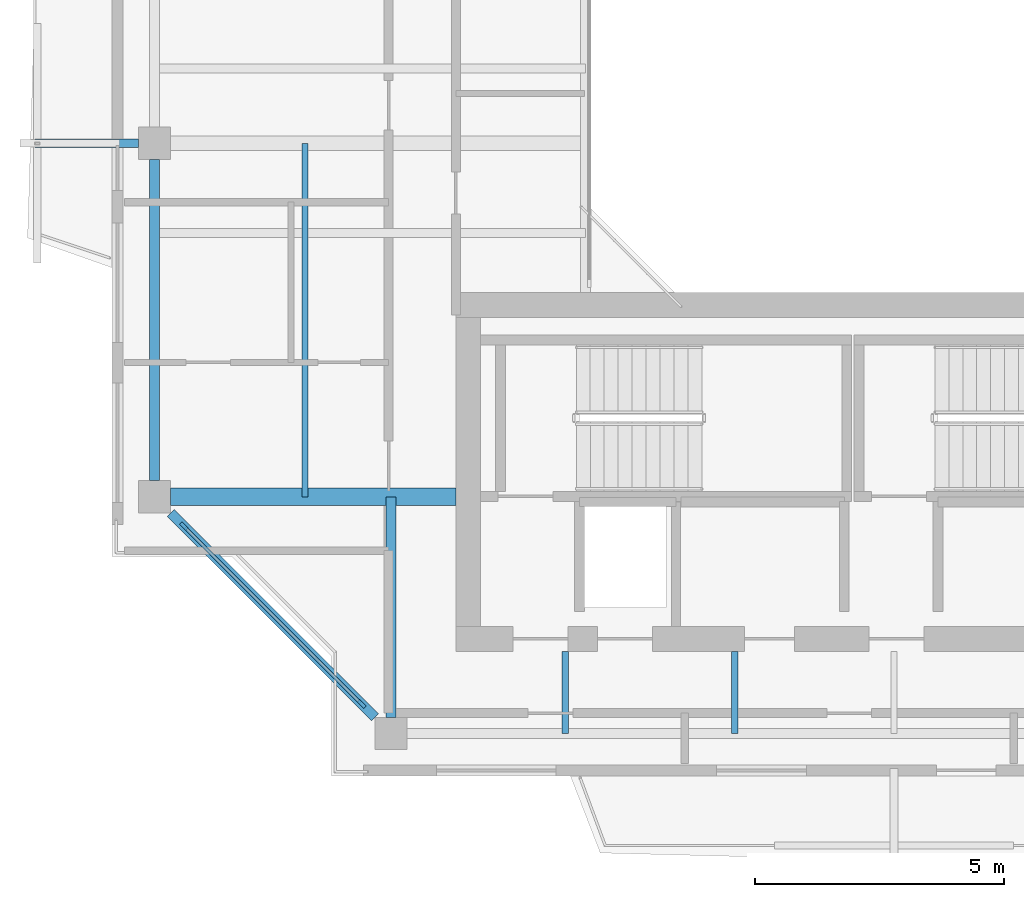
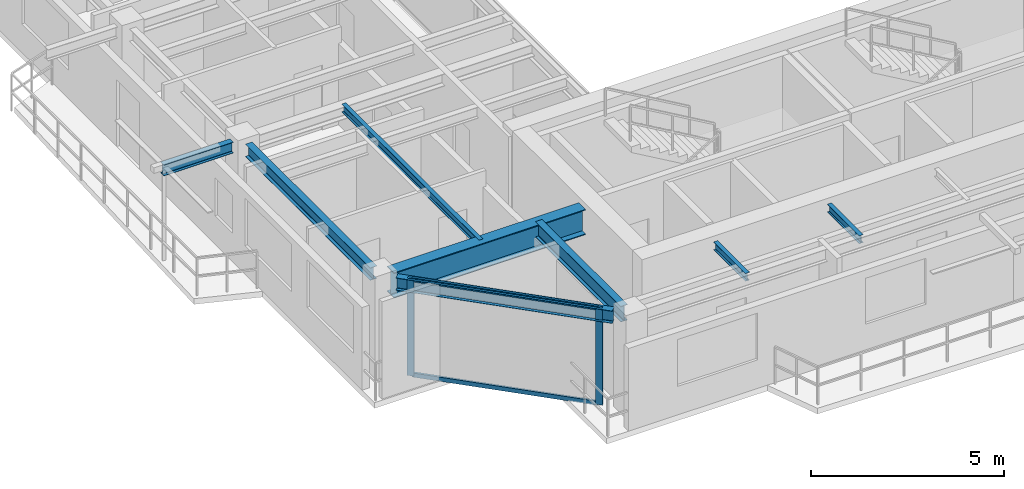
# One storey, part 2 of 15: 8 beams, 4 members, 1 element without a shape of its own.
"""IFC4 building model written with IfcOpenShell, lengths in metres."""

import ifcopenshell
import ifcopenshell.guid

model = None  # the IFC model being written
_history = None  # IfcOwnerHistory: only IFC2X3 demands one
_inside = {}  # id of a spatial element -> (the spatial element, [elements in it])
_under = {}  # id of a project, library or spatial element -> (it, [spatial elements below it])
_declared = {}  # id of a project -> (the project, [libraries it declares])
_typed = {}  # id of a type object -> (the type object, [elements of that type])
_made_of = {}  # id of a material, layer set ... -> (it, [elements and type objects made of it])


def new_model(schema):
    """Start an empty IFC model of exactly this schema.

    Asked for "IFC4X3", IfcOpenShell would pick the latest addendum, in which some entities
    have other attributes; the version numbers below select the first issue.
    IFC2X3 requires an IfcOwnerHistory on every rooted entity: one is made here for all.
    """
    global model, _history
    if schema == "IFC4X3":
        model = ifcopenshell.file(schema_version=(4, 3, 0, 0))
    else:
        model = ifcopenshell.file(schema=schema)
    _inside.clear()
    _under.clear()
    _declared.clear()
    _typed.clear()
    _made_of.clear()
    _history = None
    if model.schema == "IFC2X3":
        org = make("IfcOrganization", Name="unknown")
        user = make(
            "IfcPersonAndOrganization",
            ThePerson=make("IfcPerson", FamilyName="unknown"),
            TheOrganization=org,
        )
        app = make(
            "IfcApplication",
            ApplicationDeveloper=org,
            Version="unknown",
            ApplicationFullName="unknown",
            ApplicationIdentifier="unknown",
        )
        _history = make(
            "IfcOwnerHistory",
            OwningUser=user,
            OwningApplication=app,
            ChangeAction="ADDED",
            CreationDate=0,
        )
    return model


def make(cls, **values):
    """One entity of the class cls with the attributes given. An attribute that is None is left unset."""
    return model.create_entity(
        cls, **{name: value for name, value in values.items() if value is not None}
    )


def rooted(cls, **values):
    """An entity with a GlobalId (a new one), such as an element, a storey or a relation."""
    return make(cls, GlobalId=ifcopenshell.guid.new(), OwnerHistory=_history, **values)


def si_unit(unit_type, name, prefix=None):
    """IfcSIUnit, for example si_unit("LENGTHUNIT", "METRE", prefix="MILLI")."""
    return make("IfcSIUnit", UnitType=unit_type, Prefix=prefix, Name=name)


def assignment(units):
    """IfcUnitAssignment: the units of a project."""
    return None if units is None else make("IfcUnitAssignment", Units=units)


def point(xyz):
    """IfcCartesianPoint."""
    return None if xyz is None else make("IfcCartesianPoint", Coordinates=xyz)


def direction(xyz):
    """IfcDirection."""
    return None if xyz is None else make("IfcDirection", DirectionRatios=xyz)


def frame(location, z_axis=None, x_axis=None):
    """IfcAxis2Placement3D, a coordinate frame: its origin and axes. An axis left out is left unset."""
    return make(
        "IfcAxis2Placement3D",
        Location=point(location),
        Axis=direction(z_axis),
        RefDirection=direction(x_axis),
    )


def frame_2d(location, x_axis=None):
    """IfcAxis2Placement2D, a coordinate frame in the plane: its origin and x axis."""
    return make(
        "IfcAxis2Placement2D", Location=point(location), RefDirection=direction(x_axis)
    )


def origin():
    """The frame at (0, 0, 0) with its axes left unset."""
    return frame((0.0, 0.0, 0.0))


def origin_2d():
    """The frame at (0, 0) in the plane with its x axis left unset."""
    return frame_2d((0.0, 0.0))


def place(relative_to, where):
    """IfcLocalPlacement: puts the frame where relative to a parent placement (None: the world)."""
    return make(
        "IfcLocalPlacement", PlacementRelTo=relative_to, RelativePlacement=where
    )


def context(
    kind, dimensions, precision=None, world=None, true_north=None, identifier=None
):
    """IfcGeometricRepresentationContext, for example the 3D "Model" context."""
    return make(
        "IfcGeometricRepresentationContext",
        ContextIdentifier=identifier,
        ContextType=kind,
        CoordinateSpaceDimension=dimensions,
        Precision=precision,
        WorldCoordinateSystem=world,
        TrueNorth=true_north,
    )


def subcontext(parent, identifier, kind, view, scale=None):
    """IfcGeometricRepresentationSubContext, for example "Body" below "Model"."""
    return make(
        "IfcGeometricRepresentationSubContext",
        ContextIdentifier=identifier,
        ContextType=kind,
        ParentContext=parent,
        TargetScale=scale,
        TargetView=view,
    )


def project(units=None, contexts=None):
    """IfcProject with its units and contexts."""
    return rooted(
        "IfcProject",
        Name="project",
        RepresentationContexts=contexts,
        UnitsInContext=assignment(units),
    )


def spatial(cls, under=None, at=None, **own):
    """A site, building, storey or space (cls), placed at a placement, below another one or the project."""
    s = rooted(cls, ObjectPlacement=at, **own)
    if under is not None:
        _under.setdefault(under.id(), (under, []))[1].append(s)
    return s


def profile(cls, at=None, kind="AREA", **sizes):
    """A parametric profile (cls). Its sizes go by their IFC names, for example OverallWidth=200.0."""
    return make(cls, ProfileType=kind, Position=at, **sizes)


def rectangle(**sizes):
    """IfcRectangleProfileDef."""
    return profile("IfcRectangleProfileDef", **sizes)


def i_section(**sizes):
    """IfcIShapeProfileDef."""
    return profile("IfcIShapeProfileDef", **sizes)


def extrude(swept, where, along, depth):
    """IfcExtrudedAreaSolid: the profile swept, set in the frame where, extruded along a direction by depth."""
    return make(
        "IfcExtrudedAreaSolid",
        SweptArea=swept,
        Position=where,
        ExtrudedDirection=direction(along),
        Depth=depth,
    )


def shape(context_of_items, identifier, shape_type, items):
    """IfcShapeRepresentation: the items that make up one representation, for example the "Body"."""
    return make(
        "IfcShapeRepresentation",
        ContextOfItems=context_of_items,
        RepresentationIdentifier=identifier,
        RepresentationType=shape_type,
        Items=items,
    )


def source(mapping_origin, context_of_items, identifier, shape_type, items):
    """IfcRepresentationMap: a shape defined once, which mapped items show again and again."""
    return make(
        "IfcRepresentationMap",
        MappingOrigin=mapping_origin,
        MappedRepresentation=shape(context_of_items, identifier, shape_type, items),
    )


def transform(
    local_origin,
    x_axis=None,
    y_axis=None,
    z_axis=None,
    scale=None,
    scale2=None,
    scale3=None,
    uniform=True,
):
    """IfcCartesianTransformationOperator3D, or its non-uniform kind. x_axis, y_axis, z_axis: its Axis1, 2, 3."""
    if uniform:
        return make(
            "IfcCartesianTransformationOperator3D",
            Axis1=direction(x_axis),
            Axis2=direction(y_axis),
            LocalOrigin=point(local_origin),
            Scale=scale,
            Axis3=direction(z_axis),
        )
    return make(
        "IfcCartesianTransformationOperator3DnonUniform",
        Axis1=direction(x_axis),
        Axis2=direction(y_axis),
        LocalOrigin=point(local_origin),
        Scale=scale,
        Axis3=direction(z_axis),
        Scale2=scale2,
        Scale3=scale3,
    )


def mapped(mapping_source, mapping_target):
    """IfcMappedItem: shows the shape of a source again, moved by a transform."""
    return make(
        "IfcMappedItem", MappingSource=mapping_source, MappingTarget=mapping_target
    )


def material(Name=None, Category=None):
    """IfcMaterial."""
    return make("IfcMaterial", Name=Name, Category=Category)


def layer(
    of_material, thickness, ventilated=None, Name=None, Category=None, Priority=None
):
    """IfcMaterialLayer: one layer of a wall or slab, of a material (None: an air gap)."""
    return make(
        "IfcMaterialLayer",
        Material=of_material,
        LayerThickness=thickness,
        IsVentilated=ventilated,
        Name=Name,
        Category=Category,
        Priority=Priority,
    )


def layer_set(layers, Name=None):
    """IfcMaterialLayerSet."""
    return make("IfcMaterialLayerSet", MaterialLayers=layers, LayerSetName=Name)


def material_profile(
    of_material, cross_section, Name=None, Category=None, Priority=None
):
    """IfcMaterialProfile: a cross section and its material."""
    return make(
        "IfcMaterialProfile",
        Name=Name,
        Material=of_material,
        Profile=cross_section,
        Priority=Priority,
        Category=Category,
    )


def profile_set(profiles, Name=None, composite=None):
    """IfcMaterialProfileSet."""
    return make(
        "IfcMaterialProfileSet",
        Name=Name,
        MaterialProfiles=profiles,
        CompositeProfile=composite,
    )


def made_of(thing, what):
    """Note that an element or type object is made of a material, layer set ...; save() writes the relation."""
    if what is not None:
        _made_of.setdefault(what.id(), (what, []))[1].append(thing)
    return thing


def type_object(cls, material=None, **own):
    """A type object (cls), such as IfcWallType, which elements share."""
    return made_of(rooted(cls, **own), material)


def element(
    cls,
    number,
    at=None,
    inside=None,
    cuts=None,
    type_object=None,
    material=None,
    context=None,
    identifier="Body",
    shape_type=None,
    held_by="IfcProductDefinitionShape",
    body=None,
    shapes=None,
    **own,
):
    """One element of the class cls, such as IfcWall. Its Tag is "e" and its number.

    at: its placement. inside: the storey or other place that contains it. cuts: it is an
    opening in that element (IfcRelVoidsElement). A single representation is given by context,
    identifier, shape_type and body (its items); several are given by shapes. held_by: the class
    of the entity that holds the representations. save() writes the other relations.
    """
    e = rooted(cls, Tag="e%d" % number, ObjectPlacement=at, **own)
    if body is not None:
        shapes = [shape(context, identifier, shape_type, body)]
    if shapes is not None:
        e.Representation = make(held_by, Representations=shapes)
    if inside is not None:
        _inside.setdefault(inside.id(), (inside, []))[1].append(e)
    if cuts is not None:
        rooted(
            "IfcRelVoidsElement", RelatingBuildingElement=cuts, RelatedOpeningElement=e
        )
    if type_object is not None:
        _typed.setdefault(type_object.id(), (type_object, []))[1].append(e)
    return made_of(e, material)


def aggregate(whole, parts):
    """IfcRelAggregates: a whole, such as a stair, and the parts it consists of."""
    return rooted("IfcRelAggregates", RelatingObject=whole, RelatedObjects=parts)


def save(model, path):
    """Write the relations noted so far, then the file.

    IfcRelAggregates (storeys below a building ...), IfcRelContainedInSpatialStructure (elements
    in a storey), IfcRelDefinesByType, IfcRelAssociatesMaterial and IfcRelDeclares: one each for
    every whole, place, type object, material and project.
    """
    for whole, parts in _under.values():
        aggregate(whole, parts)
    for where, things in _inside.values():
        rooted(
            "IfcRelContainedInSpatialStructure",
            RelatedElements=things,
            RelatingStructure=where,
        )
    for kind, things in _typed.values():
        rooted("IfcRelDefinesByType", RelatedObjects=things, RelatingType=kind)
    for what, things in _made_of.values():
        rooted("IfcRelAssociatesMaterial", RelatedObjects=things, RelatingMaterial=what)
    for by, libraries in _declared.values():
        rooted("IfcRelDeclares", RelatingContext=by, RelatedDefinitions=libraries)
    model.write(path)


model = new_model("IFC4")

# Units and contexts
model_context = context("Model", 3, precision=1e-05, world=origin(), true_north=direction((0.0, 1.0)))
body_context = subcontext(model_context, "Body", "Model", "MODEL_VIEW")
ifc_project = project(units=[si_unit("LENGTHUNIT", "METRE"), si_unit("AREAUNIT", "SQUARE_METRE"), si_unit("VOLUMEUNIT", "CUBIC_METRE"), si_unit("PLANEANGLEUNIT", "RADIAN"), si_unit("MASSUNIT", "GRAM", prefix="KILO"), si_unit("THERMODYNAMICTEMPERATUREUNIT", "KELVIN"), si_unit("POWERUNIT", "WATT")], contexts=[model_context])

# Site, building, storey
site_placement = place(None, origin())
site = spatial("IfcSite", under=ifc_project, at=site_placement, CompositionType="ELEMENT")
building_placement = place(site_placement, origin())
building = spatial("IfcBuilding", under=site, at=building_placement, Name="Qiaomeng Ring Towers", CompositionType="ELEMENT")
storey_placement = place(building_placement, frame((0.0, 0.0, 256.75)))
storey = spatial("IfcBuildingStorey", under=building, at=storey_placement, Name="L75", CompositionType="ELEMENT", Elevation=256.75)

# Beams
ifc_material_1 = material(Name="Steel Q355B", Category="steel")
ifc_material_profile_1 = material_profile(ifc_material_1, i_section(OverallWidth=0.198974609375, OverallDepth=0.39599609375, WebThickness=0.007080078125, FlangeThickness=0.010986328125, FilletRadius=0.01611328125, at=origin_2d()), Name="HN 396x199x7x11")
ifc_profile_set_1 = profile_set([ifc_material_profile_1], Name="Steel Q355B")
beam_type_1 = type_object("IfcBeamType", Name="STR-BM-HN396", PredefinedType="SPANDREL", material=ifc_profile_set_1)
shared_shape_1 = source(origin(), body_context, "Body", "SweptSolid", [
    extrude(i_section(OverallWidth=0.198974609375, OverallDepth=0.39599609375, WebThickness=0.007080078125, FlangeThickness=0.010986328125, FilletRadius=0.01611328125, at=origin_2d()), origin(), (0.0, 0.0, 1.0), 5.800048828125),
])
beam_1_placement = place(storey_placement, frame((4.474365234375, 12.57568359375, 2.8720703125), z_axis=(0.707106781187, -0.707106781187, 0.0), x_axis=(0.707106781187, 0.707106781187, 0.0)))
element("IfcBeam", 1, at=beam_1_placement, inside=storey, type_object=beam_type_1, Name="L75 beam STR-SP-L75-T1-W1-S1", PredefinedType="SPANDREL", context=body_context, shape_type="MappedRepresentation", body=[
    mapped(shared_shape_1, transform((0.0, 0.0, 0.0), x_axis=(1.0, 0.0, 0.0), y_axis=(0.0, 1.0, 0.0), z_axis=(0.0, 0.0, 1.0), scale=1.0)),
])
shared_shape_2 = source(origin(), body_context, "Body", "SweptSolid", [
    extrude(i_section(OverallWidth=0.198974609375, OverallDepth=0.39599609375, WebThickness=0.007080078125, FlangeThickness=0.010986328125, FilletRadius=0.01611328125, at=origin_2d()), origin(), (0.0, 0.0, 1.0), 6.451904296875),
])
beam_2_placement = place(storey_placement, frame((4.14990234375, 19.676025390625, 2.8720703125), z_axis=(0.0, -1.0, 0.0), x_axis=(1.0, 0.0, 0.0)))
element("IfcBeam", 2, at=beam_2_placement, inside=storey, type_object=beam_type_1, Name="L75 beam STR-SP-L75-T1-W2-W1", PredefinedType="SPANDREL", context=body_context, shape_type="MappedRepresentation", body=[
    mapped(shared_shape_2, transform((0.0, 0.0, 0.0), x_axis=(1.0, 0.0, 0.0), y_axis=(0.0, 1.0, 0.0), z_axis=(0.0, 0.0, 1.0), scale=1.0)),
])
ifc_material_2 = material(Name="Steel Q390GJC", Category="steel")
ifc_material_profile_2 = material_profile(ifc_material_2, i_section(OverallWidth=0.35009765625, OverallDepth=0.800048828125, WebThickness=0.01611328125, FlangeThickness=0.028076171875, at=origin_2d()), Name="WH 800x350x16x28")
ifc_profile_set_2 = profile_set([ifc_material_profile_2], Name="Steel Q390GJC")
beam_type_2 = type_object("IfcBeamType", Name="STR-BM-WH800", PredefinedType="BEAM", material=ifc_profile_set_2)
shared_shape_3 = source(origin(), body_context, "Body", "SweptSolid", [
    extrude(i_section(OverallWidth=0.35009765625, OverallDepth=0.800048828125, WebThickness=0.01611328125, FlangeThickness=0.028076171875, at=origin_2d()), origin(), (0.0, 0.0, 1.0), 5.725830078125),
])
beam_3_placement = place(storey_placement, frame((4.47412109375, 12.89990234375, 2.669921875), z_axis=(1.0, 0.0, 0.0), x_axis=(0.0, 1.0, 0.0)))
element("IfcBeam", 3, at=beam_3_placement, inside=storey, type_object=beam_type_2, Name="L75 beam STR-BM-L75-T1-RAD-W1", PredefinedType="BEAM", context=body_context, shape_type="MappedRepresentation", body=[
    mapped(shared_shape_3, transform((0.0, 0.0, 0.0), x_axis=(1.0, 0.0, 0.0), y_axis=(0.0, 1.0, 0.0), z_axis=(0.0, 0.0, 1.0), scale=1.0)),
])
ifc_material_profile_3 = material_profile(ifc_material_1, i_section(OverallWidth=0.198974609375, OverallDepth=0.49609375, WebThickness=0.009033203125, FlangeThickness=0.013916015625, FilletRadius=0.01806640625, at=origin_2d()), Name="HN 496x199x9x14")
ifc_profile_set_3 = profile_set([ifc_material_profile_3], Name="Steel Q355B")
beam_type_3 = type_object("IfcBeamType", Name="STR-BM-HN496", PredefinedType="BEAM", material=ifc_profile_set_3)
shared_shape_4 = source(origin(), body_context, "Body", "SweptSolid", [
    extrude(i_section(OverallWidth=0.198974609375, OverallDepth=0.49609375, WebThickness=0.009033203125, FlangeThickness=0.013916015625, FilletRadius=0.01806640625, at=origin_2d()), origin(), (0.0, 0.0, 1.0), 4.42578125),
])
beam_4_placement = place(storey_placement, frame((8.89990234375, 8.47412109375, 2.822021484375), z_axis=(0.0, 1.0, 0.0), x_axis=(-1.0, 0.0, 0.0)))
element("IfcBeam", 4, at=beam_4_placement, inside=storey, type_object=beam_type_3, Name="L75 beam STR-BM-L75-T1-RAD-S1", PredefinedType="BEAM", context=body_context, shape_type="MappedRepresentation", body=[
    mapped(shared_shape_4, transform((0.0, 0.0, 0.0), x_axis=(1.0, 0.0, 0.0), y_axis=(0.0, 1.0, 0.0), z_axis=(0.0, 0.0, 1.0), scale=1.0)),
])
ifc_material_profile_4 = material_profile(ifc_material_1, i_section(OverallWidth=0.125, OverallDepth=0.25, WebThickness=0.006103515625, FlangeThickness=0.009033203125, FilletRadius=0.011962890625, at=origin_2d()), Name="HN 250x125x6x9")
ifc_profile_set_4 = profile_set([ifc_material_profile_4], Name="Steel Q355B")
beam_type_4 = type_object("IfcBeamType", Name="STR-BM-HN250", PredefinedType="JOIST", material=ifc_profile_set_4)
shared_shape_5 = source(origin(), body_context, "Body", "SweptSolid", [
    extrude(i_section(OverallWidth=0.125, OverallDepth=0.25, WebThickness=0.006103515625, FlangeThickness=0.009033203125, FilletRadius=0.011962890625, at=origin_2d()), origin(), (0.0, 0.0, 1.0), 1.650146484375),
])
for number, where, z_axis, x_axis, name in (
    (5, (12.39990234375, 8.14990234375, 2.945068359375), (0.0, 1.0, 0.0), (-1.0, 0.0, 0.0), "L75 beam STR-JST-L75-T1S-1"),
    (6, (15.800048828125, 8.14990234375, 2.945068359375), (0.0, 1.0, 0.0), (-1.0, 0.0, 0.0), "L75 beam STR-JST-L75-T1S-2"),
):
    element("IfcBeam", number, at=place(storey_placement, frame(where, z_axis=z_axis, x_axis=x_axis)), inside=storey, type_object=beam_type_4, Name=name, PredefinedType="JOIST", context=body_context, shape_type="MappedRepresentation", body=[
        mapped(shared_shape_5, transform((0.0, 0.0, 0.0), x_axis=(1.0, 0.0, 0.0), y_axis=(0.0, 1.0, 0.0), z_axis=(0.0, 0.0, 1.0), scale=1.0)),
    ])
shared_shape_6 = source(origin(), body_context, "Body", "SweptSolid", [
    extrude(i_section(OverallWidth=0.125, OverallDepth=0.25, WebThickness=0.006103515625, FlangeThickness=0.009033203125, FilletRadius=0.011962890625, at=origin_2d()), origin(), (0.0, 0.0, 1.0), 7.10009765625),
])
beam_5_placement = place(storey_placement, frame((7.175048828125, 12.89990234375, 2.945068359375), z_axis=(0.0, 1.0, 0.0), x_axis=(-1.0, 0.0, 0.0)))
element("IfcBeam", 7, at=beam_5_placement, inside=storey, type_object=beam_type_4, Name="L75 beam STR-JST-L75-T1C-WS", PredefinedType="JOIST", context=body_context, shape_type="MappedRepresentation", body=[
    mapped(shared_shape_6, transform((0.0, 0.0, 0.0), x_axis=(1.0, 0.0, 0.0), y_axis=(0.0, 1.0, 0.0), z_axis=(0.0, 0.0, 1.0), scale=1.0)),
])
ifc_material_profile_5 = material_profile(ifc_material_1, i_section(OverallWidth=0.175048828125, OverallDepth=0.35009765625, WebThickness=0.007080078125, FlangeThickness=0.010986328125, FilletRadius=0.013916015625, at=origin_2d()), Name="HN 350x175x7x11")
ifc_profile_set_5 = profile_set([ifc_material_profile_5], Name="Steel Q355B")
beam_type_5 = type_object("IfcBeamType", Name="STR-BM-HN350", PredefinedType="JOIST", material=ifc_profile_set_5)
shared_shape_7 = source(origin(), body_context, "Body", "SweptSolid", [
    extrude(i_section(OverallWidth=0.175048828125, OverallDepth=0.35009765625, WebThickness=0.007080078125, FlangeThickness=0.010986328125, FilletRadius=0.013916015625, at=origin_2d()), origin(), (0.0, 0.0, 1.0), 2.075927734375),
])
beam_6_placement = place(storey_placement, frame((1.75, 20.0, 2.89501953125), z_axis=(1.0, 0.0, 0.0), x_axis=(0.0, 1.0, 0.0)))
element("IfcBeam", 8, at=beam_6_placement, inside=storey, type_object=beam_type_5, Name="L75 beam STR-BALBM-L75-W2", PredefinedType="JOIST", context=body_context, shape_type="MappedRepresentation", body=[
    mapped(shared_shape_7, transform((0.0, 0.0, 0.0), x_axis=(1.0, 0.0, 0.0), y_axis=(0.0, 1.0, 0.0), z_axis=(0.0, 0.0, 1.0), scale=1.0)),
])

# Curtain wall, members
ifc_material_3 = material(Name="Fluorocarbon dark-grey aluminium", Category="aluminium")
ifc_layer = layer(ifc_material_3, 0.14990234375, Name="Fluorocarbon dark-grey aluminium")
ifc_layer_set = layer_set([ifc_layer], Name="Fluorocarbon dark-grey aluminium")
curtain_wall_type = type_object("IfcCurtainWallType", Name="ARC-CW-3", PredefinedType="NOTDEFINED", material=ifc_layer_set)
curtain_wall_placement = place(storey_placement, origin())
curtain_wall = element("IfcCurtainWall", 9, at=curtain_wall_placement, inside=storey, type_object=curtain_wall_type, Name="L75 Curtain Wall CW3", PredefinedType="NOTDEFINED")
ifc_material_profile_6 = material_profile(ifc_material_3, rectangle(XDim=0.070068359375, YDim=0.179931640625, at=origin_2d()), Name="ALU MULL 70x180")
ifc_profile_set_6 = profile_set([ifc_material_profile_6], Name="Fluorocarbon dark-grey aluminium")
member_type_1 = type_object("IfcMemberType", Name="ARC-CWM-160", PredefinedType="MULLION", material=ifc_profile_set_6)
shared_shape_8 = source(origin(), body_context, "Body", "SweptSolid", [
    extrude(rectangle(XDim=0.070068359375, YDim=0.179931640625, at=origin_2d()), origin(), (0.0, 0.0, 1.0), 3.070068359375),
])
member_1_placement = place(storey_placement, frame((4.73974609375, 12.310302734375, 0.0), z_axis=(0.0, 0.0, 1.0), x_axis=(0.707106781187, 0.707106781187, 0.0)))
member_1 = element("IfcMember", 10, at=member_1_placement, type_object=member_type_1, Name="CW3 mullion 1", PredefinedType="MULLION", context=body_context, shape_type="MappedRepresentation", body=[
    mapped(shared_shape_8, transform((0.0, 0.0, 0.0), x_axis=(1.0, 0.0, 0.0), y_axis=(0.0, 1.0, 0.0), z_axis=(0.0, 0.0, 1.0), scale=1.0)),
])
member_2_placement = place(storey_placement, frame((8.310302734375, 8.73974609375, 0.0), z_axis=(0.0, 0.0, 1.0), x_axis=(0.707106781187, 0.707106781187, 0.0)))
member_2 = element("IfcMember", 11, at=member_2_placement, type_object=member_type_1, Name="CW3 mullion 2", PredefinedType="MULLION", context=body_context, shape_type="MappedRepresentation", body=[
    mapped(shared_shape_8, transform((0.0, 0.0, 0.0), x_axis=(1.0, 0.0, 0.0), y_axis=(0.0, 1.0, 0.0), z_axis=(0.0, 0.0, 1.0), scale=1.0)),
])
ifc_material_profile_7 = material_profile(ifc_material_3, rectangle(XDim=0.06494140625, YDim=0.1298828125, at=origin_2d()), Name="ALU TRAN 65x130")
ifc_profile_set_7 = profile_set([ifc_material_profile_7], Name="Fluorocarbon dark-grey aluminium")
member_type_2 = type_object("IfcMemberType", Name="ARC-CWT-120", PredefinedType="USERDEFINED", material=ifc_profile_set_7)
shared_shape_9 = source(origin(), body_context, "Body", "SweptSolid", [
    extrude(rectangle(XDim=0.06494140625, YDim=0.1298828125, at=origin_2d()), origin(), (0.0, 0.0, 1.0), 4.9794921875),
])
member_3_placement = place(storey_placement, frame((4.764404296875, 12.285400390625, 0.032470703125), z_axis=(0.707106781187, -0.707106781187, 0.0), x_axis=(0.707106781187, 0.707106781187, 0.0)))
member_3 = element("IfcMember", 12, at=member_3_placement, type_object=member_type_2, Name="CW3 transom 1.1", ObjectType="TRANSOM", PredefinedType="USERDEFINED", context=body_context, shape_type="MappedRepresentation", body=[
    mapped(shared_shape_9, transform((0.0, 0.0, 0.0), x_axis=(1.0, 0.0, 0.0), y_axis=(0.0, 1.0, 0.0), z_axis=(0.0, 0.0, 1.0), scale=1.0)),
])
member_4_placement = place(storey_placement, frame((4.764404296875, 12.285400390625, 3.03759765625), z_axis=(0.707106781187, -0.707106781187, 0.0), x_axis=(0.707106781187, 0.707106781187, 0.0)))
member_4 = element("IfcMember", 13, at=member_4_placement, type_object=member_type_2, Name="CW3 transom 1.2", ObjectType="TRANSOM", PredefinedType="USERDEFINED", context=body_context, shape_type="MappedRepresentation", body=[
    mapped(shared_shape_9, transform((0.0, 0.0, 0.0), x_axis=(1.0, 0.0, 0.0), y_axis=(0.0, 1.0, 0.0), z_axis=(0.0, 0.0, 1.0), scale=1.0)),
])
aggregate(curtain_wall, [member_1, member_2, member_3, member_4])

save(model, "model.ifc")
